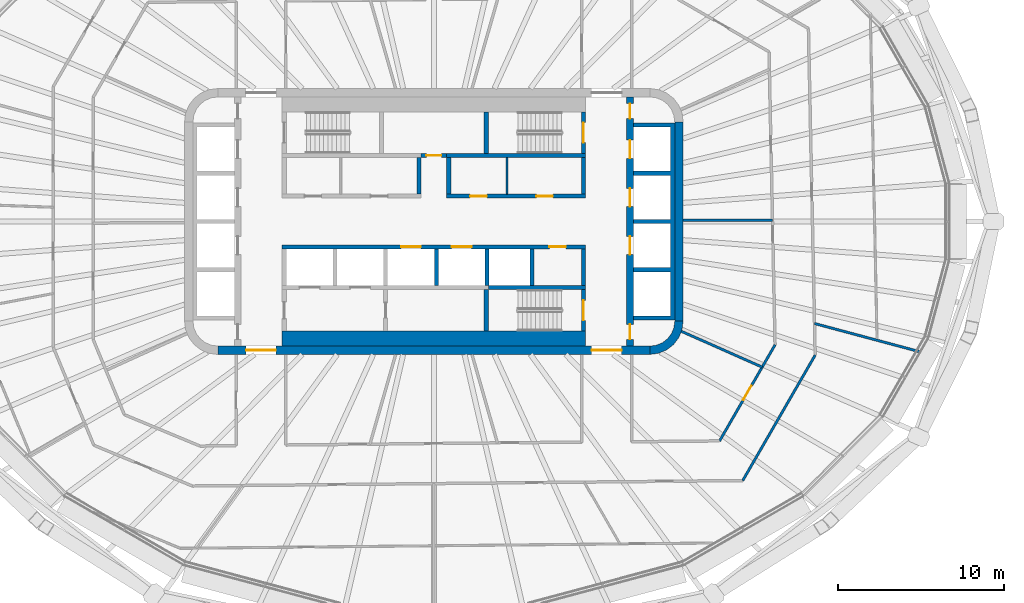
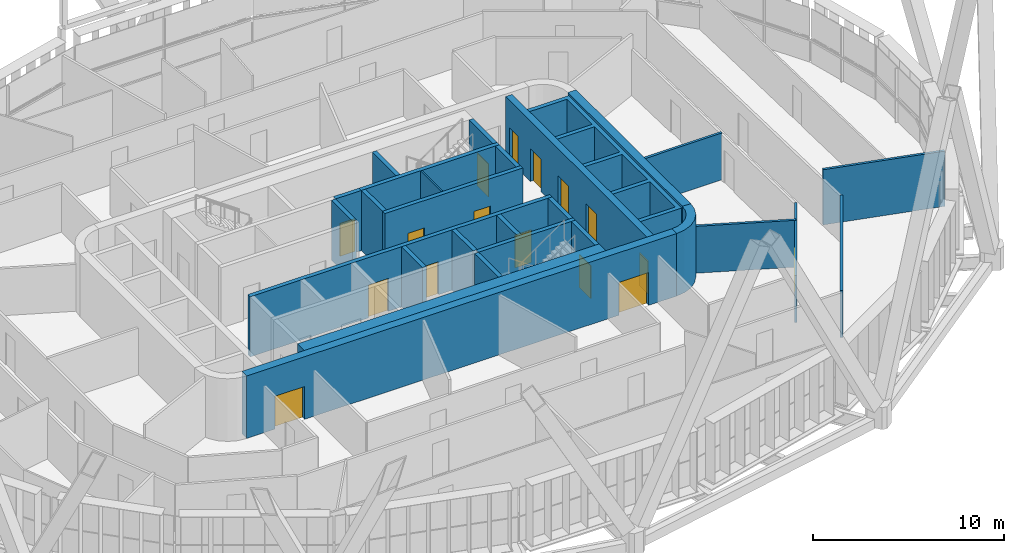
# One storey, part 14 of 25: 28 walls, 16 doors, 16 openings.
"""IFC4 building model written with IfcOpenShell, lengths in metres."""

from ifc_helpers import new_model, si_unit, direction, frame, frame_2d, origin, place, context, subcontext, project, spatial, polyline, rectangle, outline, extrude, material, layer, layer_set, type_object, element, fill, save


model = new_model("IFC4")

# Units and contexts
model_context = context("Model", 3, precision=1e-05, world=origin(), true_north=direction((0.0, 1.0)))
body_context = subcontext(model_context, "Body", "Model", "MODEL_VIEW")
ifc_project = project(units=[si_unit("LENGTHUNIT", "METRE"), si_unit("AREAUNIT", "SQUARE_METRE"), si_unit("VOLUMEUNIT", "CUBIC_METRE"), si_unit("PLANEANGLEUNIT", "RADIAN"), si_unit("MASSUNIT", "GRAM", prefix="KILO")], contexts=[model_context])

# Site, building, storey
site_placement = place(None, origin())
site = spatial("IfcSite", under=ifc_project, at=site_placement, CompositionType="ELEMENT")
building_placement = place(site_placement, origin())
building = spatial("IfcBuilding", under=site, at=building_placement, Name="Sahrelin Media Tower", CompositionType="ELEMENT")
storey_placement = place(building_placement, frame((0.0, 0.0, 181.60009765625)))
storey = spatial("IfcBuildingStorey", under=building, at=storey_placement, Name="L38", CompositionType="ELEMENT", Elevation=181.60009765625)

# Wall, openings, doors
ifc_material_1 = material(Name="Concrete C60/75", Category="concrete")
ifc_layer_1 = layer(ifc_material_1, 0.5)
ifc_layer_set_1 = layer_set([ifc_layer_1], Name="Core wall 500")
wall_type_1 = type_object("IfcWallType", Name="Core wall 500", PredefinedType="SHEAR", material=ifc_layer_set_1)
wall_1_placement = place(storey_placement, frame((-13.0, -7.75, 0.0), z_axis=(0.0, 0.0, 1.0), x_axis=(1.0, 0.0, 0.0)))
wall_1 = element("IfcWall", 1, at=wall_1_placement, inside=storey, type_object=wall_type_1, Name="Core wall S L38", PredefinedType="SHEAR", context=body_context, shape_type="SweptSolid", body=[
    extrude(rectangle(XDim=26.0, YDim=0.5, at=frame_2d((13.0, 0.0))), origin(), (0.0, 0.0, 1.0), 4.0),
])
opening_1_placement = place(wall_1_placement, frame((1.699951171875, 0.0, 0.0)))
opening_1 = element("IfcOpeningElement", 2, at=opening_1_placement, cuts=wall_1, Name="Opening L38-D18", PredefinedType="OPENING", context=body_context, shape_type="SweptSolid", body=[
    extrude(rectangle(XDim=1.800048828125, YDim=2.10009765625, at=frame_2d((0.89990234375, 1.050048828125))), frame((0.0, 0.25, 0.0), z_axis=(0.0, -1.0, 0.0), x_axis=(1.0, 0.0, 0.0)), (0.0, 0.0, 1.0), 0.5),
])
opening_2_placement = place(wall_1_placement, frame((22.5, 0.0, 0.0)))
opening_2 = element("IfcOpeningElement", 3, at=opening_2_placement, cuts=wall_1, Name="Opening L38-D19", PredefinedType="OPENING", context=body_context, shape_type="SweptSolid", body=[
    extrude(rectangle(XDim=1.800048828125, YDim=2.10009765625, at=frame_2d((0.89990234375, 1.050048828125))), frame((0.0, 0.25, 0.0), z_axis=(0.0, -1.0, 0.0), x_axis=(1.0, 0.0, 0.0)), (0.0, 0.0, 1.0), 0.5),
])
ifc_material_2 = material(Name="Steel fire door leaf", Category="steel")
door_type_1 = type_object("IfcDoorType", Name="Lobby double door 1800 x 2100 EI 60", OperationType="DOUBLE_DOOR_SINGLE_SWING", PredefinedType="DOOR", material=ifc_material_2)
door_1_placement = place(opening_1_placement, origin())
door_1 = element("IfcDoor", 4, at=door_1_placement, inside=storey, type_object=door_type_1, Name="Lobby door", OperationType="DOUBLE_DOOR_SINGLE_SWING", OverallHeight=2.10009765625, OverallWidth=1.800048828125, PredefinedType="DOOR", context=body_context, shape_type="SweptSolid", body=[
    extrude(rectangle(XDim=1.800048828125, YDim=2.10009765625, at=frame_2d((0.89990234375, 1.050048828125))), frame((0.0, 0.02490234375, 0.0), z_axis=(0.0, -1.0, 0.0), x_axis=(1.0, 0.0, 0.0)), (0.0, 0.0, 1.0), 0.050048828125),
])
fill(opening_1, door_1)
door_2_placement = place(opening_2_placement, origin())
door_2 = element("IfcDoor", 5, at=door_2_placement, inside=storey, type_object=door_type_1, Name="Lobby door", OperationType="DOUBLE_DOOR_SINGLE_SWING", OverallHeight=2.10009765625, OverallWidth=1.800048828125, PredefinedType="DOOR", context=body_context, shape_type="SweptSolid", body=[
    extrude(rectangle(XDim=1.800048828125, YDim=2.10009765625, at=frame_2d((0.89990234375, 1.050048828125))), frame((0.0, 0.02490234375, 0.0), z_axis=(0.0, -1.0, 0.0), x_axis=(1.0, 0.0, 0.0)), (0.0, 0.0, 1.0), 0.050048828125),
])
fill(opening_2, door_2)

# Walls
wall_2_placement = place(storey_placement, frame((14.75, -6.0, 0.0), z_axis=(0.0, 0.0, 1.0), x_axis=(0.0, 1.0, 0.0)))
element("IfcWall", 6, at=wall_2_placement, inside=storey, type_object=wall_type_1, Name="Core wall E L38", PredefinedType="SHEAR", context=body_context, shape_type="SweptSolid", body=[
    extrude(rectangle(XDim=12.0, YDim=0.5, at=frame_2d((6.0, 0.0))), origin(), (0.0, 0.0, 1.0), 4.0),
])
placement = place(storey_placement, origin())
element("IfcWall", 7, at=placement, inside=storey, type_object=wall_type_1, Name="Core wall corner SE L38", PredefinedType="SHEAR", context=body_context, shape_type="SweptSolid", body=[
    extrude(outline(polyline([(15.0, -6.0), (14.49560546875, -6.0), (14.44482421875, -6.38720703125), (14.29541015625, -6.747802734375), (14.0576171875, -7.0576171875), (13.747802734375, -7.29541015625), (13.38720703125, -7.44482421875), (13.0, -7.49560546875), (13.0, -8.0), (13.517578125, -7.931884765625), (14.0, -7.732177734375), (14.414306640625, -7.414306640625), (14.732177734375, -7.0), (14.931884765625, -6.517578125), (15.0, -6.0)])), origin(), (0.0, 0.0, 1.0), 4.0),
])

# Wall, opening, door
ifc_material_3 = material(Name="Fire-rated gypsum board partition")
ifc_layer_2 = layer(ifc_material_3, 0.25)
ifc_layer_set_2 = layer_set([ifc_layer_2], Name="Fire-rated lobby wall 250")
wall_type_2 = type_object("IfcWallType", Name="Fire-rated lobby wall 250", PredefinedType="PARTITIONING", material=ifc_layer_set_2)
wall_4_placement = place(storey_placement, frame((-0.77490234375, 3.97509765625, 0.0), z_axis=(0.0, 0.0, 1.0), x_axis=(1.0, 0.0, 0.0)))
wall_4 = element("IfcWall", 8, at=wall_4_placement, inside=storey, type_object=wall_type_2, Name="Core lobby wall", PredefinedType="PARTITIONING", context=body_context, shape_type="SweptSolid", body=[
    extrude(rectangle(XDim=1.5498046875, YDim=0.25, at=frame_2d((0.77490234375, 0.0))), origin(), (0.0, 0.0, 1.0), 3.849853515625),
])
opening_3_placement = place(wall_4_placement, frame((0.324951171875, 0.0, 0.0)))
opening_3 = element("IfcOpeningElement", 9, at=opening_3_placement, cuts=wall_4, Name="Opening L38-D06", PredefinedType="OPENING", context=body_context, shape_type="SweptSolid", body=[
    extrude(rectangle(XDim=0.89990234375, YDim=2.10009765625, at=frame_2d((0.449951171875, 1.050048828125))), frame((0.0, 0.125, 0.0), z_axis=(0.0, -1.0, 0.0), x_axis=(1.0, 0.0, 0.0)), (0.0, 0.0, 1.0), 0.25),
])
door_type_2 = type_object("IfcDoorType", Name="Riser door 900 x 2100 EI 120", OperationType="NOTDEFINED", PredefinedType="DOOR", material=ifc_material_2)
door_3_placement = place(opening_3_placement, origin())
door_3 = element("IfcDoor", 10, at=door_3_placement, inside=storey, type_object=door_type_2, Name="Core room door", OperationType="SINGLE_SWING_LEFT", OverallHeight=2.10009765625, OverallWidth=0.89990234375, PredefinedType="DOOR", context=body_context, shape_type="SweptSolid", body=[
    extrude(rectangle(XDim=0.89990234375, YDim=2.10009765625, at=frame_2d((0.449951171875, 1.050048828125))), frame((0.0, 0.02490234375, 0.0), z_axis=(0.0, -1.0, 0.0), x_axis=(1.0, 0.0, 0.0)), (0.0, 0.0, 1.0), 0.050048828125),
])
fill(opening_3, door_3)

# Wall, openings, doors
wall_5_placement = place(storey_placement, frame((0.77490234375, 1.52490234375, 0.0), z_axis=(0.0, 0.0, 1.0), x_axis=(1.0, 0.0, 0.0)))
wall_5 = element("IfcWall", 11, at=wall_5_placement, inside=storey, type_object=wall_type_2, Name="Core lobby wall", PredefinedType="PARTITIONING", context=body_context, shape_type="SweptSolid", body=[
    extrude(rectangle(XDim=8.35009765625, YDim=0.25, at=frame_2d((4.175048828125, 0.0))), origin(), (0.0, 0.0, 1.0), 3.849853515625),
])
opening_4_placement = place(wall_5_placement, frame((1.41259765625, 0.0, 0.0)))
opening_4 = element("IfcOpeningElement", 12, at=opening_4_placement, cuts=wall_5, Name="Opening L38-D09", PredefinedType="OPENING", context=body_context, shape_type="SweptSolid", body=[
    extrude(rectangle(XDim=1.0, YDim=2.10009765625, at=frame_2d((0.5, 1.050048828125))), frame((0.0, 0.125, 0.0), z_axis=(0.0, -1.0, 0.0), x_axis=(1.0, 0.0, 0.0)), (0.0, 0.0, 1.0), 0.25),
])
opening_5_placement = place(wall_5_placement, frame((5.387451171875, 0.0, 0.0)))
opening_5 = element("IfcOpeningElement", 13, at=opening_5_placement, cuts=wall_5, Name="Opening L38-D10", PredefinedType="OPENING", context=body_context, shape_type="SweptSolid", body=[
    extrude(rectangle(XDim=1.0, YDim=2.10009765625, at=frame_2d((0.5, 1.050048828125))), frame((0.0, 0.125, 0.0), z_axis=(0.0, -1.0, 0.0), x_axis=(1.0, 0.0, 0.0)), (0.0, 0.0, 1.0), 0.25),
])
door_type_3 = type_object("IfcDoorType", Name="Fire door 1000 x 2100 EI 60", OperationType="NOTDEFINED", PredefinedType="DOOR", material=ifc_material_2)
door_4_placement = place(opening_4_placement, origin())
door_4 = element("IfcDoor", 14, at=door_4_placement, inside=storey, type_object=door_type_3, Name="Core room door", OperationType="SINGLE_SWING_LEFT", OverallHeight=2.10009765625, OverallWidth=1.0, PredefinedType="DOOR", context=body_context, shape_type="SweptSolid", body=[
    extrude(rectangle(XDim=1.0, YDim=2.10009765625, at=frame_2d((0.5, 1.050048828125))), frame((0.0, 0.02490234375, 0.0), z_axis=(0.0, -1.0, 0.0), x_axis=(1.0, 0.0, 0.0)), (0.0, 0.0, 1.0), 0.050048828125),
])
fill(opening_4, door_4)
door_5_placement = place(opening_5_placement, origin())
door_5 = element("IfcDoor", 15, at=door_5_placement, inside=storey, type_object=door_type_3, Name="Core room door", OperationType="SINGLE_SWING_LEFT", OverallHeight=2.10009765625, OverallWidth=1.0, PredefinedType="DOOR", context=body_context, shape_type="SweptSolid", body=[
    extrude(rectangle(XDim=1.0, YDim=2.10009765625, at=frame_2d((0.5, 1.050048828125))), frame((0.0, 0.02490234375, 0.0), z_axis=(0.0, -1.0, 0.0), x_axis=(1.0, 0.0, 0.0)), (0.0, 0.0, 1.0), 0.050048828125),
])
fill(opening_5, door_5)

# Walls
for number, where, z_axis, x_axis, name in (
    (16, (-0.89990234375, 1.64990234375, 0.0), (0.0, 0.0, 1.0), (0.0, 1.0, 0.0), "Core lobby wall"),
    (17, (9.0, 1.64990234375, 0.0), (0.0, 0.0, 1.0), (0.0, 1.0, 0.0), "Core lobby wall"),
    (18, (0.89990234375, 1.64990234375, 0.0), (0.0, 0.0, 1.0), (0.0, 1.0, 0.0), "Core lobby wall"),
):
    element("IfcWall", number, at=place(storey_placement, frame(where, z_axis=z_axis, x_axis=x_axis)), inside=storey, type_object=wall_type_2, Name=name, PredefinedType="PARTITIONING", context=body_context, shape_type="SweptSolid", body=[
        extrude(rectangle(XDim=2.2001953125, YDim=0.25, at=frame_2d((1.10009765625, 0.0))), origin(), (0.0, 0.0, 1.0), 3.849853515625),
    ])
ifc_layer_3 = layer(ifc_material_3, 0.10009765625)
ifc_layer_set_3 = layer_set([ifc_layer_3], Name="Fire-rated partition 100")
wall_type_3 = type_object("IfcWallType", Name="Fire-rated partition 100", PredefinedType="PARTITIONING", material=ifc_layer_set_3)
wall_6_placement = place(storey_placement, frame((4.39990234375, 1.64990234375, 0.0), z_axis=(0.0, 0.0, 1.0), x_axis=(0.0, 1.0, 0.0)))
element("IfcWall", 19, at=wall_6_placement, inside=storey, type_object=wall_type_3, Name="Core room partition", PredefinedType="PARTITIONING", context=body_context, shape_type="SweptSolid", body=[
    extrude(rectangle(XDim=2.2001953125, YDim=0.10009765625, at=frame_2d((1.10009765625, 0.0))), origin(), (0.0, 0.0, 1.0), 3.849853515625),
])
ifc_layer_4 = layer(ifc_material_3, 0.14990234375)
ifc_layer_set_4 = layer_set([ifc_layer_4], Name="Fire-rated partition 150")
wall_type_4 = type_object("IfcWallType", Name="Fire-rated partition 150", PredefinedType="PARTITIONING", material=ifc_layer_set_4)
wall_7_placement = place(storey_placement, frame((14.89501953125, -6.60693359375, 0.0), z_axis=(0.0, 0.0, 1.0), x_axis=(0.914233271379, -0.405188259337, 0.0)))
element("IfcWall", 20, at=wall_7_placement, inside=storey, type_object=wall_type_4, Name="Wall", PredefinedType="PARTITIONING", context=body_context, shape_type="SweptSolid", body=[
    extrude(rectangle(XDim=5.3173828125, YDim=0.14990234375, at=frame_2d((2.65869140625, 0.0))), origin(), (0.0, 0.0, 1.0), 2.994873046875),
])
wall_8_placement = place(storey_placement, frame((22.905029296875, -6.137939453125, 0.0), z_axis=(0.0, 0.0, 1.0), x_axis=(0.965933668704, -0.258789775039, 0.0)))
element("IfcWall", 21, at=wall_8_placement, inside=storey, type_object=wall_type_4, Name="Wall", PredefinedType="PARTITIONING", context=body_context, shape_type="SweptSolid", body=[
    extrude(rectangle(XDim=6.591552734375, YDim=0.14990234375, at=frame_2d((3.2958984375, 0.0))), origin(), (0.0, 0.0, 1.0), 3.526611328125),
])
wall_9_placement = place(storey_placement, frame((15.0, 0.06298828125, 0.0), z_axis=(0.0, 0.0, 1.0), x_axis=(0.999990294223, 0.004405843865, 0.0)))
element("IfcWall", 22, at=wall_9_placement, inside=storey, type_object=wall_type_4, Name="Wall", PredefinedType="PARTITIONING", context=body_context, shape_type="SweptSolid", body=[
    extrude(rectangle(XDim=5.375, YDim=0.14990234375, at=frame_2d((2.6875, 0.0))), origin(), (0.0, 0.0, 1.0), 2.994873046875),
])
wall_10_placement = place(storey_placement, frame((18.5869140625, -15.5869140625, 0.0), z_axis=(0.0, 0.0, 1.0), x_axis=(0.499993286632, 0.866029279715, 0.0)))
element("IfcWall", 23, at=wall_10_placement, inside=storey, type_object=wall_type_4, Name="Wall", PredefinedType="PARTITIONING", context=body_context, shape_type="SweptSolid", body=[
    extrude(rectangle(XDim=8.71337890625, YDim=0.14990234375, at=frame_2d((4.356689453125, 0.0))), origin(), (0.0, 0.0, 1.0), 2.994873046875),
])

# Wall, opening, door
wall_11_placement = place(storey_placement, frame((17.194091796875, -13.200927734375, 0.0), z_axis=(0.0, 0.0, 1.0), x_axis=(0.499983182885, 0.866035112932, 0.0)))
wall_11 = element("IfcWall", 24, at=wall_11_placement, inside=storey, type_object=wall_type_4, Name="Wall", PredefinedType="PARTITIONING", context=body_context, shape_type="SweptSolid", body=[
    extrude(rectangle(XDim=6.673583984375, YDim=0.14990234375, at=frame_2d((3.3369140625, 0.0))), origin(), (0.0, 0.0, 1.0), 2.994873046875),
])
opening_6_placement = place(wall_11_placement, frame((2.833984375, 0.0, 0.0)))
opening_6 = element("IfcOpeningElement", 25, at=opening_6_placement, cuts=wall_11, Name="Opening L38-D23", PredefinedType="OPENING", context=body_context, shape_type="SweptSolid", body=[
    extrude(rectangle(XDim=1.0, YDim=2.10009765625, at=frame_2d((0.5, 1.050048828125))), frame((0.0, 0.074951171875, 0.0), z_axis=(0.0, -1.0, 0.0), x_axis=(1.0, 0.0, 0.0)), (0.0, 0.0, 1.0), 0.14990234375),
])
door_6_placement = place(opening_6_placement, origin())
door_6 = element("IfcDoor", 26, at=door_6_placement, inside=storey, type_object=door_type_3, Name="Fire door", OperationType="SINGLE_SWING_RIGHT", OverallHeight=2.10009765625, OverallWidth=1.0, PredefinedType="DOOR", context=body_context, shape_type="SweptSolid", body=[
    extrude(rectangle(XDim=1.0, YDim=2.10009765625, at=frame_2d((0.5, 1.050048828125))), frame((0.0, 0.02490234375, 0.0), z_axis=(0.0, -1.0, 0.0), x_axis=(1.0, 0.0, 0.0)), (0.0, 0.0, 1.0), 0.050048828125),
])
fill(opening_6, door_6)

# Wall, openings, doors
ifc_layer_5 = layer(ifc_material_1, 0.25)
ifc_layer_set_5 = layer_set([ifc_layer_5], Name="Lift shaft wall 250")
wall_type_5 = type_object("IfcWallType", Name="Lift shaft wall 250", PredefinedType="SOLIDWALL", material=ifc_layer_set_5)
wall_12_placement = place(storey_placement, frame((-9.125, -1.52490234375, 0.0), z_axis=(0.0, 0.0, 1.0), x_axis=(1.0, 0.0, 0.0)))
wall_12 = element("IfcWall", 27, at=wall_12_placement, inside=storey, type_object=wall_type_5, Name="Lift shaft wall", PredefinedType="SOLIDWALL", context=body_context, shape_type="SweptSolid", body=[
    extrude(rectangle(XDim=18.25, YDim=0.25, at=frame_2d((9.125, 0.0))), origin(), (0.0, 0.0, 1.0), 3.849853515625),
])
opening_7_placement = place(wall_12_placement, frame((7.14990234375, 0.0, 0.0)))
opening_7 = element("IfcOpeningElement", 28, at=opening_7_placement, cuts=wall_12, Name="Opening L38-LD-SV1", PredefinedType="OPENING", context=body_context, shape_type="SweptSolid", body=[
    extrude(rectangle(XDim=1.199951171875, YDim=2.10009765625, at=frame_2d((0.60009765625, 1.050048828125))), frame((0.0, 0.125, 0.0), z_axis=(0.0, -1.0, 0.0), x_axis=(1.0, 0.0, 0.0)), (0.0, 0.0, 1.0), 0.25),
])
opening_8_placement = place(wall_12_placement, frame((10.199951171875, 0.0, 0.0)))
opening_8 = element("IfcOpeningElement", 29, at=opening_8_placement, cuts=wall_12, Name="Opening L38-LD-SV2", PredefinedType="OPENING", context=body_context, shape_type="SweptSolid", body=[
    extrude(rectangle(XDim=1.199951171875, YDim=2.10009765625, at=frame_2d((0.60009765625, 1.050048828125))), frame((0.0, 0.125, 0.0), z_axis=(0.0, -1.0, 0.0), x_axis=(1.0, 0.0, 0.0)), (0.0, 0.0, 1.0), 0.25),
])
opening_9_placement = place(wall_12_placement, frame((16.074951171875, 0.0, 0.0)))
opening_9 = element("IfcOpeningElement", 30, at=opening_9_placement, cuts=wall_12, Name="Opening L38-D11", PredefinedType="OPENING", context=body_context, shape_type="SweptSolid", body=[
    extrude(rectangle(XDim=1.0, YDim=2.10009765625, at=frame_2d((0.5, 1.050048828125))), frame((0.0, 0.125, 0.0), z_axis=(0.0, -1.0, 0.0), x_axis=(1.0, 0.0, 0.0)), (0.0, 0.0, 1.0), 0.25),
])
door_7_placement = place(opening_9_placement, origin())
door_7 = element("IfcDoor", 31, at=door_7_placement, inside=storey, type_object=door_type_3, Name="Core room door", OperationType="SINGLE_SWING_RIGHT", OverallHeight=2.10009765625, OverallWidth=1.0, PredefinedType="DOOR", context=body_context, shape_type="SweptSolid", body=[
    extrude(rectangle(XDim=1.0, YDim=2.10009765625, at=frame_2d((0.5, 1.050048828125))), frame((0.0, 0.02490234375, 0.0), z_axis=(0.0, -1.0, 0.0), x_axis=(1.0, 0.0, 0.0)), (0.0, 0.0, 1.0), 0.050048828125),
])
fill(opening_9, door_7)
ifc_material_4 = material(Name="Stainless steel", Category="steel")
door_type_4 = type_object("IfcDoorType", Name="Lift landing door 1200 x 2100 EI 120", OperationType="DOUBLE_DOOR_SLIDING", PredefinedType="DOOR", material=ifc_material_4)
door_8_placement = place(opening_7_placement, origin())
door_8 = element("IfcDoor", 32, at=door_8_placement, inside=storey, type_object=door_type_4, Name="Lift landing door SV1", OperationType="DOUBLE_DOOR_SLIDING", OverallHeight=2.10009765625, OverallWidth=1.199951171875, PredefinedType="DOOR", context=body_context, shape_type="SweptSolid", body=[
    extrude(rectangle(XDim=1.199951171875, YDim=2.10009765625, at=frame_2d((0.60009765625, 1.050048828125))), frame((0.0, 0.02490234375, 0.0), z_axis=(0.0, -1.0, 0.0), x_axis=(1.0, 0.0, 0.0)), (0.0, 0.0, 1.0), 0.050048828125),
])
fill(opening_7, door_8)
door_9_placement = place(opening_8_placement, origin())
door_9 = element("IfcDoor", 33, at=door_9_placement, inside=storey, type_object=door_type_4, Name="Lift landing door SV2", OperationType="DOUBLE_DOOR_SLIDING", OverallHeight=2.10009765625, OverallWidth=1.199951171875, PredefinedType="DOOR", context=body_context, shape_type="SweptSolid", body=[
    extrude(rectangle(XDim=1.199951171875, YDim=2.10009765625, at=frame_2d((0.60009765625, 1.050048828125))), frame((0.0, 0.02490234375, 0.0), z_axis=(0.0, -1.0, 0.0), x_axis=(1.0, 0.0, 0.0)), (0.0, 0.0, 1.0), 0.050048828125),
])
fill(opening_8, door_9)

# Walls
wall_13_placement = place(storey_placement, frame((3.27490234375, -3.97509765625, 0.0), z_axis=(0.0, 0.0, 1.0), x_axis=(1.0, 0.0, 0.0)))
element("IfcWall", 34, at=wall_13_placement, inside=storey, type_object=wall_type_5, Name="Lift shaft wall", PredefinedType="SOLIDWALL", context=body_context, shape_type="SweptSolid", body=[
    extrude(rectangle(XDim=5.85009765625, YDim=0.25, at=frame_2d((2.925048828125, 0.0))), origin(), (0.0, 0.0, 1.0), 3.849853515625),
])
for number, where, z_axis, x_axis, name in (
    (35, (0.14990234375, -3.85009765625, 0.0), (0.0, 0.0, 1.0), (0.0, 1.0, 0.0), "Lift shaft wall"),
    (36, (3.199951171875, -3.85009765625, 0.0), (0.0, 0.0, 1.0), (0.0, 1.0, 0.0), "Lift shaft wall"),
    (37, (5.89990234375, -3.85009765625, 0.0), (0.0, 0.0, 1.0), (0.0, 1.0, 0.0), "Lift shaft wall"),
    (38, (9.0, -3.85009765625, 0.0), (0.0, 0.0, 1.0), (0.0, 1.0, 0.0), "Lift shaft wall"),
):
    element("IfcWall", number, at=place(storey_placement, frame(where, z_axis=z_axis, x_axis=x_axis)), inside=storey, type_object=wall_type_5, Name=name, PredefinedType="SOLIDWALL", context=body_context, shape_type="SweptSolid", body=[
        extrude(rectangle(XDim=2.2001953125, YDim=0.25, at=frame_2d((1.10009765625, 0.0))), origin(), (0.0, 0.0, 1.0), 3.849853515625),
    ])
element("IfcWall", 39, at=placement, inside=storey, type_object=wall_type_5, Name="Lift shaft wall", PredefinedType="SOLIDWALL", context=body_context, shape_type="SweptSolid", body=[
    extrude(outline(polyline([(12.0, -5.675048828125), (12.0, -5.925048828125), (14.25, -5.925048828125), (14.5, -5.925048828125), (14.5, -5.675048828125), (14.5, -3.02490234375), (14.5, -2.77490234375), (14.5, -0.125), (14.5, 0.125), (14.5, 2.77490234375), (14.5, 3.02490234375), (14.5, 5.675048828125), (14.5, 5.925048828125), (14.25, 5.925048828125), (12.0, 5.925048828125), (12.0, 5.675048828125), (14.25, 5.675048828125), (14.25, 3.02490234375), (12.0, 3.02490234375), (12.0, 2.77490234375), (14.25, 2.77490234375), (14.25, 0.125), (12.0, 0.125), (12.0, -0.125), (14.25, -0.125), (14.25, -2.77490234375), (12.0, -2.77490234375), (12.0, -3.02490234375), (14.25, -3.02490234375), (14.25, -5.675048828125), (12.0, -5.675048828125)])), origin(), (0.0, 0.0, 1.0), 3.849853515625),
])

# Wall, openings, doors
ifc_layer_6 = layer(ifc_material_1, 0.39990234375)
ifc_layer_set_6 = layer_set([ifc_layer_6], Name="Lift shaft wall 400")
wall_type_6 = type_object("IfcWallType", Name="Lift shaft wall 400", PredefinedType="SOLIDWALL", material=ifc_layer_set_6)
wall_15_placement = place(storey_placement, frame((11.800048828125, -7.5, 0.0), z_axis=(0.0, 0.0, 1.0), x_axis=(0.0, 1.0, 0.0)))
wall_15 = element("IfcWall", 40, at=wall_15_placement, inside=storey, type_object=wall_type_6, Name="Lift shaft wall", PredefinedType="SOLIDWALL", context=body_context, shape_type="SweptSolid", body=[
    extrude(rectangle(XDim=15.0, YDim=0.39990234375, at=frame_2d((7.5, 0.0))), origin(), (0.0, 0.0, 1.0), 3.849853515625),
])
opening_10_placement = place(wall_15_placement, frame((11.300048828125, 0.0, 0.0)))
opening_10 = element("IfcOpeningElement", 41, at=opening_10_placement, cuts=wall_15, Name="Opening L38-LD-LR4", PredefinedType="OPENING", context=body_context, shape_type="SweptSolid", body=[
    extrude(rectangle(XDim=1.10009765625, YDim=2.10009765625, at=frame_2d((0.550048828125, 1.050048828125))), frame((0.0, 0.199951171875, 0.0), z_axis=(0.0, -1.0, 0.0), x_axis=(1.0, 0.0, 0.0)), (0.0, 0.0, 1.0), 0.39990234375),
])
opening_11_placement = place(wall_15_placement, frame((8.39990234375, 0.0, 0.0)))
opening_11 = element("IfcOpeningElement", 42, at=opening_11_placement, cuts=wall_15, Name="Opening L38-LD-LR5", PredefinedType="OPENING", context=body_context, shape_type="SweptSolid", body=[
    extrude(rectangle(XDim=1.10009765625, YDim=2.10009765625, at=frame_2d((0.550048828125, 1.050048828125))), frame((0.0, 0.199951171875, 0.0), z_axis=(0.0, -1.0, 0.0), x_axis=(1.0, 0.0, 0.0)), (0.0, 0.0, 1.0), 0.39990234375),
])
opening_12_placement = place(wall_15_placement, frame((5.5, 0.0, 0.0)))
opening_12 = element("IfcOpeningElement", 43, at=opening_12_placement, cuts=wall_15, Name="Opening L38-LD-LR6", PredefinedType="OPENING", context=body_context, shape_type="SweptSolid", body=[
    extrude(rectangle(XDim=1.10009765625, YDim=2.10009765625, at=frame_2d((0.550048828125, 1.050048828125))), frame((0.0, 0.199951171875, 0.0), z_axis=(0.0, -1.0, 0.0), x_axis=(1.0, 0.0, 0.0)), (0.0, 0.0, 1.0), 0.39990234375),
])
opening_13_placement = place(wall_15_placement, frame((13.696533203125, 0.0, 0.0)))
opening_13 = element("IfcOpeningElement", 44, at=opening_13_placement, cuts=wall_15, Name="Opening L38-D14", PredefinedType="OPENING", context=body_context, shape_type="SweptSolid", body=[
    extrude(rectangle(XDim=0.89990234375, YDim=2.10009765625, at=frame_2d((0.449951171875, 1.050048828125))), frame((0.0, 0.199951171875, 0.0), z_axis=(0.0, -1.0, 0.0), x_axis=(1.0, 0.0, 0.0)), (0.0, 0.0, 1.0), 0.39990234375),
])
opening_14_placement = place(wall_15_placement, frame((0.4033203125, 0.0, 0.0)))
opening_14 = element("IfcOpeningElement", 45, at=opening_14_placement, cuts=wall_15, Name="Opening L38-D15", PredefinedType="OPENING", context=body_context, shape_type="SweptSolid", body=[
    extrude(rectangle(XDim=0.89990234375, YDim=2.10009765625, at=frame_2d((0.449951171875, 1.050048828125))), frame((0.0, 0.199951171875, 0.0), z_axis=(0.0, -1.0, 0.0), x_axis=(1.0, 0.0, 0.0)), (0.0, 0.0, 1.0), 0.39990234375),
])
door_type_5 = type_object("IfcDoorType", Name="Lift landing door 1100 x 2100 EI 120", OperationType="DOUBLE_DOOR_SLIDING", PredefinedType="DOOR", material=ifc_material_4)
door_10_placement = place(opening_10_placement, origin())
door_10 = element("IfcDoor", 46, at=door_10_placement, inside=storey, type_object=door_type_5, Name="Lift landing door LR4", OperationType="DOUBLE_DOOR_SLIDING", OverallHeight=2.10009765625, OverallWidth=1.10009765625, PredefinedType="DOOR", context=body_context, shape_type="SweptSolid", body=[
    extrude(rectangle(XDim=1.10009765625, YDim=2.10009765625, at=frame_2d((0.550048828125, 1.050048828125))), frame((0.0, 0.02490234375, 0.0), z_axis=(0.0, -1.0, 0.0), x_axis=(1.0, 0.0, 0.0)), (0.0, 0.0, 1.0), 0.050048828125),
])
fill(opening_10, door_10)
door_11_placement = place(opening_11_placement, origin())
door_11 = element("IfcDoor", 47, at=door_11_placement, inside=storey, type_object=door_type_5, Name="Lift landing door LR5", OperationType="DOUBLE_DOOR_SLIDING", OverallHeight=2.10009765625, OverallWidth=1.10009765625, PredefinedType="DOOR", context=body_context, shape_type="SweptSolid", body=[
    extrude(rectangle(XDim=1.10009765625, YDim=2.10009765625, at=frame_2d((0.550048828125, 1.050048828125))), frame((0.0, 0.02490234375, 0.0), z_axis=(0.0, -1.0, 0.0), x_axis=(1.0, 0.0, 0.0)), (0.0, 0.0, 1.0), 0.050048828125),
])
fill(opening_11, door_11)
door_12_placement = place(opening_12_placement, origin())
door_12 = element("IfcDoor", 48, at=door_12_placement, inside=storey, type_object=door_type_5, Name="Lift landing door LR6", OperationType="DOUBLE_DOOR_SLIDING", OverallHeight=2.10009765625, OverallWidth=1.10009765625, PredefinedType="DOOR", context=body_context, shape_type="SweptSolid", body=[
    extrude(rectangle(XDim=1.10009765625, YDim=2.10009765625, at=frame_2d((0.550048828125, 1.050048828125))), frame((0.0, 0.02490234375, 0.0), z_axis=(0.0, -1.0, 0.0), x_axis=(1.0, 0.0, 0.0)), (0.0, 0.0, 1.0), 0.050048828125),
])
fill(opening_12, door_12)
door_13_placement = place(opening_13_placement, origin())
door_13 = element("IfcDoor", 49, at=door_13_placement, inside=storey, type_object=door_type_2, Name="Riser door", OperationType="SINGLE_SWING_RIGHT", OverallHeight=2.10009765625, OverallWidth=0.89990234375, PredefinedType="DOOR", context=body_context, shape_type="SweptSolid", body=[
    extrude(rectangle(XDim=0.89990234375, YDim=2.10009765625, at=frame_2d((0.449951171875, 1.050048828125))), frame((0.0, 0.02490234375, 0.0), z_axis=(0.0, -1.0, 0.0), x_axis=(1.0, 0.0, 0.0)), (0.0, 0.0, 1.0), 0.050048828125),
])
fill(opening_13, door_13)
door_14_placement = place(opening_14_placement, origin())
door_14 = element("IfcDoor", 50, at=door_14_placement, inside=storey, type_object=door_type_2, Name="Riser door", OperationType="SINGLE_SWING_RIGHT", OverallHeight=2.10009765625, OverallWidth=0.89990234375, PredefinedType="DOOR", context=body_context, shape_type="SweptSolid", body=[
    extrude(rectangle(XDim=0.89990234375, YDim=2.10009765625, at=frame_2d((0.449951171875, 1.050048828125))), frame((0.0, 0.02490234375, 0.0), z_axis=(0.0, -1.0, 0.0), x_axis=(1.0, 0.0, 0.0)), (0.0, 0.0, 1.0), 0.050048828125),
])
fill(opening_14, door_14)

# Wall, opening, door
ifc_layer_7 = layer(ifc_material_1, 0.25)
ifc_layer_set_7 = layer_set([ifc_layer_7], Name="Stair enclosure wall 250")
wall_type_7 = type_object("IfcWallType", Name="Stair enclosure wall 250", PredefinedType="SOLIDWALL", material=ifc_layer_set_7)
wall_16_placement = place(storey_placement, frame((9.0, 4.10009765625, 0.0), z_axis=(0.0, 0.0, 1.0), x_axis=(0.0, 1.0, 0.0)))
wall_16 = element("IfcWall", 51, at=wall_16_placement, inside=storey, type_object=wall_type_7, Name="Stair enclosure wall", PredefinedType="SOLIDWALL", context=body_context, shape_type="SweptSolid", body=[
    extrude(rectangle(XDim=2.5, YDim=0.25, at=frame_2d((1.25, 0.0))), origin(), (0.0, 0.0, 1.0), 3.849853515625),
])
opening_15_placement = place(wall_16_placement, frame((0.64990234375, 0.0, 0.0)))
opening_15 = element("IfcOpeningElement", 52, at=opening_15_placement, cuts=wall_16, Name="Opening L38-D02", PredefinedType="OPENING", context=body_context, shape_type="SweptSolid", body=[
    extrude(rectangle(XDim=1.199951171875, YDim=2.10009765625, at=frame_2d((0.60009765625, 1.050048828125))), frame((0.0, 0.125, 0.0), z_axis=(0.0, -1.0, 0.0), x_axis=(1.0, 0.0, 0.0)), (0.0, 0.0, 1.0), 0.25),
])
door_type_6 = type_object("IfcDoorType", Name="Stair door 1200 x 2100 EI 120", OperationType="NOTDEFINED", PredefinedType="DOOR", material=ifc_material_2)
door_15_placement = place(opening_15_placement, origin())
door_15 = element("IfcDoor", 53, at=door_15_placement, inside=storey, type_object=door_type_6, Name="Stair door ST3", OperationType="SINGLE_SWING_LEFT", OverallHeight=2.10009765625, OverallWidth=1.199951171875, PredefinedType="DOOR", context=body_context, shape_type="SweptSolid", body=[
    extrude(rectangle(XDim=1.199951171875, YDim=2.10009765625, at=frame_2d((0.60009765625, 1.050048828125))), frame((0.0, 0.02490234375, 0.0), z_axis=(0.0, -1.0, 0.0), x_axis=(1.0, 0.0, 0.0)), (0.0, 0.0, 1.0), 0.050048828125),
])
fill(opening_15, door_15)

wall_17_placement = place(storey_placement, frame((9.0, -6.60009765625, 0.0), z_axis=(0.0, 0.0, 1.0), x_axis=(0.0, 1.0, 0.0)))
wall_17 = element("IfcWall", 54, at=wall_17_placement, inside=storey, type_object=wall_type_7, Name="Stair enclosure wall", PredefinedType="SOLIDWALL", context=body_context, shape_type="SweptSolid", body=[
    extrude(rectangle(XDim=2.5, YDim=0.25, at=frame_2d((1.25, 0.0))), origin(), (0.0, 0.0, 1.0), 3.849853515625),
])
opening_16_placement = place(wall_17_placement, frame((0.64990234375, 0.0, 0.0)))
opening_16 = element("IfcOpeningElement", 55, at=opening_16_placement, cuts=wall_17, Name="Opening L38-D03", PredefinedType="OPENING", context=body_context, shape_type="SweptSolid", body=[
    extrude(rectangle(XDim=1.199951171875, YDim=2.10009765625, at=frame_2d((0.60009765625, 1.050048828125))), frame((0.0, 0.125, 0.0), z_axis=(0.0, -1.0, 0.0), x_axis=(1.0, 0.0, 0.0)), (0.0, 0.0, 1.0), 0.25),
])
door_16_placement = place(opening_16_placement, origin())
door_16 = element("IfcDoor", 56, at=door_16_placement, inside=storey, type_object=door_type_6, Name="Stair door ST2", OperationType="SINGLE_SWING_LEFT", OverallHeight=2.10009765625, OverallWidth=1.199951171875, PredefinedType="DOOR", context=body_context, shape_type="SweptSolid", body=[
    extrude(rectangle(XDim=1.199951171875, YDim=2.10009765625, at=frame_2d((0.60009765625, 1.050048828125))), frame((0.0, 0.02490234375, 0.0), z_axis=(0.0, -1.0, 0.0), x_axis=(1.0, 0.0, 0.0)), (0.0, 0.0, 1.0), 0.050048828125),
])
fill(opening_16, door_16)

# Walls
for number, where, z_axis, x_axis, name in (
    (57, (3.14990234375, 4.10009765625, 0.0), (0.0, 0.0, 1.0), (0.0, 1.0, 0.0), "Stair enclosure wall"),
    (58, (3.14990234375, -6.60009765625, 0.0), (0.0, 0.0, 1.0), (0.0, 1.0, 0.0), "Stair enclosure wall"),
):
    element("IfcWall", number, at=place(storey_placement, frame(where, z_axis=z_axis, x_axis=x_axis)), inside=storey, type_object=wall_type_7, Name=name, PredefinedType="SOLIDWALL", context=body_context, shape_type="SweptSolid", body=[
        extrude(rectangle(XDim=2.5, YDim=0.25, at=frame_2d((1.25, 0.0))), origin(), (0.0, 0.0, 1.0), 3.849853515625),
    ])
wall_18_placement = place(storey_placement, frame((0.77490234375, 3.97509765625, 0.0), z_axis=(0.0, 0.0, 1.0), x_axis=(1.0, 0.0, 0.0)))
element("IfcWall", 59, at=wall_18_placement, inside=storey, type_object=wall_type_7, Name="Stair enclosure wall", PredefinedType="SOLIDWALL", context=body_context, shape_type="SweptSolid", body=[
    extrude(rectangle(XDim=8.35009765625, YDim=0.25, at=frame_2d((4.175048828125, 0.0))), origin(), (0.0, 0.0, 1.0), 3.849853515625),
])
ifc_layer_8 = layer(ifc_material_1, 0.89990234375)
ifc_layer_set_8 = layer_set([ifc_layer_8], Name="Stair enclosure wall 900")
wall_type_8 = type_object("IfcWallType", Name="Stair enclosure wall 900", PredefinedType="SOLIDWALL", material=ifc_layer_set_8)
wall_19_placement = place(storey_placement, frame((-9.125, -7.050048828125, 0.0), z_axis=(0.0, 0.0, 1.0), x_axis=(1.0, 0.0, 0.0)))
element("IfcWall", 60, at=wall_19_placement, inside=storey, type_object=wall_type_8, Name="Stair enclosure wall", PredefinedType="SOLIDWALL", context=body_context, shape_type="SweptSolid", body=[
    extrude(rectangle(XDim=18.25, YDim=0.89990234375, at=frame_2d((9.125, 0.0))), origin(), (0.0, 0.0, 1.0), 3.849853515625),
])

save(model, "model.ifc")
